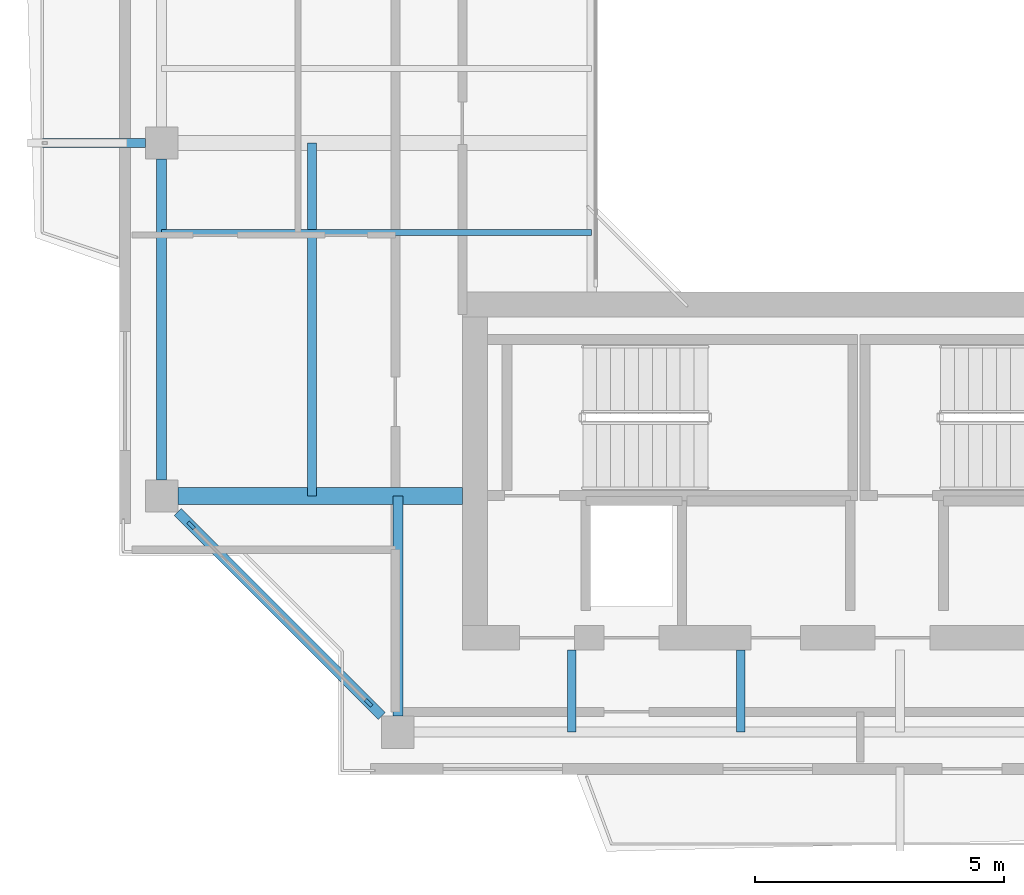
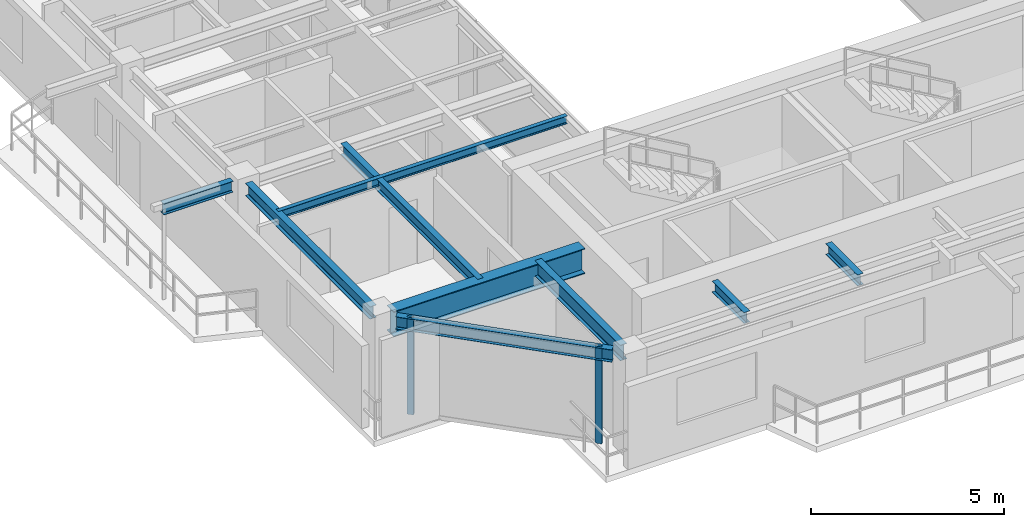
# One storey, part 2 of 14: 9 beams, 2 members, 1 element without a shape of its own.
"""IFC4 building model written with IfcOpenShell, lengths in metres."""

from ifc_helpers import new_model, si_unit, direction, frame, origin, origin_2d, place, context, subcontext, project, spatial, rectangle, i_section, extrude, source, transform, mapped, material, layer, layer_set, material_profile, profile_set, type_object, element, aggregate, save


model = new_model("IFC4")

# Units and contexts
model_context = context("Model", 3, precision=1e-05, world=origin(), true_north=direction((0.0, 1.0)))
body_context = subcontext(model_context, "Body", "Model", "MODEL_VIEW")
ifc_project = project(units=[si_unit("LENGTHUNIT", "METRE"), si_unit("AREAUNIT", "SQUARE_METRE"), si_unit("VOLUMEUNIT", "CUBIC_METRE"), si_unit("PLANEANGLEUNIT", "RADIAN"), si_unit("MASSUNIT", "GRAM", prefix="KILO"), si_unit("THERMODYNAMICTEMPERATUREUNIT", "KELVIN"), si_unit("POWERUNIT", "WATT")], contexts=[model_context])

# Site, building, storey
site_placement = place(None, origin())
site = spatial("IfcSite", under=ifc_project, at=site_placement, CompositionType="ELEMENT")
building_placement = place(site_placement, origin())
building = spatial("IfcBuilding", under=site, at=building_placement, Name="Qiaomeng Ring Towers", CompositionType="ELEMENT")
storey_placement = place(building_placement, frame((0.0, 0.0, 247.0)))
storey = spatial("IfcBuildingStorey", under=building, at=storey_placement, Name="L72", CompositionType="ELEMENT", Elevation=247.0)

# Beams
ifc_material_1 = material(Name="Steel Q355B", Category="steel")
ifc_material_profile_1 = material_profile(ifc_material_1, i_section(OverallWidth=0.198974609375, OverallDepth=0.39599609375, WebThickness=0.007080078125, FlangeThickness=0.010986328125, FilletRadius=0.01611328125, at=origin_2d()), Name="HN 396x199x7x11")
ifc_profile_set_1 = profile_set([ifc_material_profile_1], Name="Steel Q355B")
beam_type_1 = type_object("IfcBeamType", Name="STR-BM-HN396", PredefinedType="SPANDREL", material=ifc_profile_set_1)
shared_shape_1 = source(origin(), body_context, "Body", "SweptSolid", [
    extrude(i_section(OverallWidth=0.198974609375, OverallDepth=0.39599609375, WebThickness=0.007080078125, FlangeThickness=0.010986328125, FilletRadius=0.01611328125, at=origin_2d()), origin(), (0.0, 0.0, 1.0), 5.800048828125),
])
beam_1_placement = place(storey_placement, frame((4.474365234375, 12.57568359375, 2.8720703125), z_axis=(0.707106781187, -0.707106781187, 0.0), x_axis=(0.707106781187, 0.707106781187, 0.0)))
element("IfcBeam", 1, at=beam_1_placement, inside=storey, type_object=beam_type_1, Name="L72 beam STR-SP-L72-T1-W1-S1", PredefinedType="SPANDREL", context=body_context, shape_type="MappedRepresentation", body=[
    mapped(shared_shape_1, transform((0.0, 0.0, 0.0), x_axis=(1.0, 0.0, 0.0), y_axis=(0.0, 1.0, 0.0), z_axis=(0.0, 0.0, 1.0), scale=1.0)),
])
shared_shape_2 = source(origin(), body_context, "Body", "SweptSolid", [
    extrude(i_section(OverallWidth=0.198974609375, OverallDepth=0.39599609375, WebThickness=0.007080078125, FlangeThickness=0.010986328125, FilletRadius=0.01611328125, at=origin_2d()), origin(), (0.0, 0.0, 1.0), 6.451904296875),
])
beam_2_placement = place(storey_placement, frame((4.14990234375, 19.676025390625, 2.8720703125), z_axis=(0.0, -1.0, 0.0), x_axis=(1.0, 0.0, 0.0)))
element("IfcBeam", 2, at=beam_2_placement, inside=storey, type_object=beam_type_1, Name="L72 beam STR-SP-L72-T1-W2-W1", PredefinedType="SPANDREL", context=body_context, shape_type="MappedRepresentation", body=[
    mapped(shared_shape_2, transform((0.0, 0.0, 0.0), x_axis=(1.0, 0.0, 0.0), y_axis=(0.0, 1.0, 0.0), z_axis=(0.0, 0.0, 1.0), scale=1.0)),
])
ifc_material_2 = material(Name="Steel Q390GJC", Category="steel")
ifc_material_profile_2 = material_profile(ifc_material_2, i_section(OverallWidth=0.35009765625, OverallDepth=0.800048828125, WebThickness=0.01611328125, FlangeThickness=0.028076171875, at=origin_2d()), Name="WH 800x350x16x28")
ifc_profile_set_2 = profile_set([ifc_material_profile_2], Name="Steel Q390GJC")
beam_type_2 = type_object("IfcBeamType", Name="STR-BM-WH800", PredefinedType="BEAM", material=ifc_profile_set_2)
shared_shape_3 = source(origin(), body_context, "Body", "SweptSolid", [
    extrude(i_section(OverallWidth=0.35009765625, OverallDepth=0.800048828125, WebThickness=0.01611328125, FlangeThickness=0.028076171875, at=origin_2d()), origin(), (0.0, 0.0, 1.0), 5.725830078125),
])
beam_3_placement = place(storey_placement, frame((4.47412109375, 12.89990234375, 2.669921875), z_axis=(1.0, 0.0, 0.0), x_axis=(0.0, 1.0, 0.0)))
element("IfcBeam", 3, at=beam_3_placement, inside=storey, type_object=beam_type_2, Name="L72 beam STR-BM-L72-T1-RAD-W1", PredefinedType="BEAM", context=body_context, shape_type="MappedRepresentation", body=[
    mapped(shared_shape_3, transform((0.0, 0.0, 0.0), x_axis=(1.0, 0.0, 0.0), y_axis=(0.0, 1.0, 0.0), z_axis=(0.0, 0.0, 1.0), scale=1.0)),
])
ifc_material_profile_3 = material_profile(ifc_material_1, i_section(OverallWidth=0.198974609375, OverallDepth=0.49609375, WebThickness=0.009033203125, FlangeThickness=0.013916015625, FilletRadius=0.01806640625, at=origin_2d()), Name="HN 496x199x9x14")
ifc_profile_set_3 = profile_set([ifc_material_profile_3], Name="Steel Q355B")
beam_type_3 = type_object("IfcBeamType", Name="STR-BM-HN496", PredefinedType="BEAM", material=ifc_profile_set_3)
shared_shape_4 = source(origin(), body_context, "Body", "SweptSolid", [
    extrude(i_section(OverallWidth=0.198974609375, OverallDepth=0.49609375, WebThickness=0.009033203125, FlangeThickness=0.013916015625, FilletRadius=0.01806640625, at=origin_2d()), origin(), (0.0, 0.0, 1.0), 4.42578125),
])
beam_4_placement = place(storey_placement, frame((8.89990234375, 8.47412109375, 2.822021484375), z_axis=(0.0, 1.0, 0.0), x_axis=(-1.0, 0.0, 0.0)))
element("IfcBeam", 4, at=beam_4_placement, inside=storey, type_object=beam_type_3, Name="L72 beam STR-BM-L72-T1-RAD-S1", PredefinedType="BEAM", context=body_context, shape_type="MappedRepresentation", body=[
    mapped(shared_shape_4, transform((0.0, 0.0, 0.0), x_axis=(1.0, 0.0, 0.0), y_axis=(0.0, 1.0, 0.0), z_axis=(0.0, 0.0, 1.0), scale=1.0)),
])
ifc_material_profile_4 = material_profile(ifc_material_1, i_section(OverallWidth=0.175048828125, OverallDepth=0.35009765625, WebThickness=0.007080078125, FlangeThickness=0.010986328125, FilletRadius=0.013916015625, at=origin_2d()), Name="HN 350x175x7x11")
ifc_profile_set_4 = profile_set([ifc_material_profile_4], Name="Steel Q355B")
beam_type_4 = type_object("IfcBeamType", Name="STR-BM-HN350", PredefinedType="JOIST", material=ifc_profile_set_4)
shared_shape_5 = source(origin(), body_context, "Body", "SweptSolid", [
    extrude(i_section(OverallWidth=0.175048828125, OverallDepth=0.35009765625, WebThickness=0.007080078125, FlangeThickness=0.010986328125, FilletRadius=0.013916015625, at=origin_2d()), origin(), (0.0, 0.0, 1.0), 2.075927734375),
])
beam_5_placement = place(storey_placement, frame((1.75, 20.0, 2.89501953125), z_axis=(1.0, 0.0, 0.0), x_axis=(0.0, 1.0, 0.0)))
element("IfcBeam", 5, at=beam_5_placement, inside=storey, type_object=beam_type_4, Name="L72 beam STR-BALBM-L72-W2", PredefinedType="JOIST", context=body_context, shape_type="MappedRepresentation", body=[
    mapped(shared_shape_5, transform((0.0, 0.0, 0.0), x_axis=(1.0, 0.0, 0.0), y_axis=(0.0, 1.0, 0.0), z_axis=(0.0, 0.0, 1.0), scale=1.0)),
])
shared_shape_6 = source(origin(), body_context, "Body", "SweptSolid", [
    extrude(i_section(OverallWidth=0.175048828125, OverallDepth=0.35009765625, WebThickness=0.007080078125, FlangeThickness=0.010986328125, FilletRadius=0.013916015625, at=origin_2d()), origin(), (0.0, 0.0, 1.0), 1.650146484375),
])
for number, where, z_axis, x_axis, name in (
    (6, (12.39990234375, 8.14990234375, 2.89501953125), (0.0, 1.0, 0.0), (-1.0, 0.0, 0.0), "L72 beam STR-JST-L72-T1S-1"),
    (7, (15.800048828125, 8.14990234375, 2.89501953125), (0.0, 1.0, 0.0), (-1.0, 0.0, 0.0), "L72 beam STR-JST-L72-T1S-2"),
):
    element("IfcBeam", number, at=place(storey_placement, frame(where, z_axis=z_axis, x_axis=x_axis)), inside=storey, type_object=beam_type_4, Name=name, PredefinedType="JOIST", context=body_context, shape_type="MappedRepresentation", body=[
        mapped(shared_shape_6, transform((0.0, 0.0, 0.0), x_axis=(1.0, 0.0, 0.0), y_axis=(0.0, 1.0, 0.0), z_axis=(0.0, 0.0, 1.0), scale=1.0)),
    ])
ifc_material_profile_5 = material_profile(ifc_material_1, i_section(OverallWidth=0.125, OverallDepth=0.25, WebThickness=0.006103515625, FlangeThickness=0.009033203125, FilletRadius=0.011962890625, at=origin_2d()), Name="HN 250x125x6x9")
ifc_profile_set_5 = profile_set([ifc_material_profile_5], Name="Steel Q355B")
beam_type_5 = type_object("IfcBeamType", Name="STR-BM-HN250", PredefinedType="JOIST", material=ifc_profile_set_5)
shared_shape_7 = source(origin(), body_context, "Body", "SweptSolid", [
    extrude(i_section(OverallWidth=0.125, OverallDepth=0.25, WebThickness=0.006103515625, FlangeThickness=0.009033203125, FilletRadius=0.011962890625, at=origin_2d()), origin(), (0.0, 0.0, 1.0), 8.650146484375),
])
beam_6_placement = place(storey_placement, frame((4.14990234375, 18.199951171875, 2.945068359375), z_axis=(1.0, 0.0, 0.0), x_axis=(0.0, 1.0, 0.0)))
element("IfcBeam", 8, at=beam_6_placement, inside=storey, type_object=beam_type_5, Name="L72 beam STR-JST-L72-T1W-1", PredefinedType="JOIST", context=body_context, shape_type="MappedRepresentation", body=[
    mapped(shared_shape_7, transform((0.0, 0.0, 0.0), x_axis=(1.0, 0.0, 0.0), y_axis=(0.0, 1.0, 0.0), z_axis=(0.0, 0.0, 1.0), scale=1.0)),
])
shared_shape_8 = source(origin(), body_context, "Body", "SweptSolid", [
    extrude(i_section(OverallWidth=0.175048828125, OverallDepth=0.35009765625, WebThickness=0.007080078125, FlangeThickness=0.010986328125, FilletRadius=0.013916015625, at=origin_2d()), origin(), (0.0, 0.0, 1.0), 7.10009765625),
])
beam_7_placement = place(storey_placement, frame((7.175048828125, 12.89990234375, 2.89501953125), z_axis=(0.0, 1.0, 0.0), x_axis=(-1.0, 0.0, 0.0)))
element("IfcBeam", 9, at=beam_7_placement, inside=storey, type_object=beam_type_4, Name="L72 beam STR-JST-L72-T1C-WS", PredefinedType="JOIST", context=body_context, shape_type="MappedRepresentation", body=[
    mapped(shared_shape_8, transform((0.0, 0.0, 0.0), x_axis=(1.0, 0.0, 0.0), y_axis=(0.0, 1.0, 0.0), z_axis=(0.0, 0.0, 1.0), scale=1.0)),
])

# Curtain wall, members
ifc_material_3 = material(Name="Fluorocarbon dark-grey aluminium", Category="aluminium")
ifc_layer = layer(ifc_material_3, 0.14990234375, Name="Fluorocarbon dark-grey aluminium")
ifc_layer_set = layer_set([ifc_layer], Name="Fluorocarbon dark-grey aluminium")
curtain_wall_type = type_object("IfcCurtainWallType", Name="ARC-CW-3", PredefinedType="NOTDEFINED", material=ifc_layer_set)
curtain_wall_placement = place(storey_placement, origin())
curtain_wall = element("IfcCurtainWall", 10, at=curtain_wall_placement, inside=storey, type_object=curtain_wall_type, Name="L72 Curtain Wall CW3", PredefinedType="NOTDEFINED")
ifc_material_profile_6 = material_profile(ifc_material_3, rectangle(XDim=0.070068359375, YDim=0.179931640625, at=origin_2d()), Name="ALU MULL 70x180")
ifc_profile_set_6 = profile_set([ifc_material_profile_6], Name="Fluorocarbon dark-grey aluminium")
member_type = type_object("IfcMemberType", Name="ARC-CWM-160", PredefinedType="MULLION", material=ifc_profile_set_6)
shared_shape_9 = source(origin(), body_context, "Body", "SweptSolid", [
    extrude(rectangle(XDim=0.070068359375, YDim=0.179931640625, at=origin_2d()), origin(), (0.0, 0.0, 1.0), 3.070068359375),
])
member_1_placement = place(storey_placement, frame((4.73974609375, 12.310302734375, 0.0), z_axis=(0.0, 0.0, 1.0), x_axis=(0.707106781187, 0.707106781187, 0.0)))
member_1 = element("IfcMember", 11, at=member_1_placement, type_object=member_type, Name="CW3 mullion 1", PredefinedType="MULLION", context=body_context, shape_type="MappedRepresentation", body=[
    mapped(shared_shape_9, transform((0.0, 0.0, 0.0), x_axis=(1.0, 0.0, 0.0), y_axis=(0.0, 1.0, 0.0), z_axis=(0.0, 0.0, 1.0), scale=1.0)),
])
member_2_placement = place(storey_placement, frame((8.310302734375, 8.73974609375, 0.0), z_axis=(0.0, 0.0, 1.0), x_axis=(0.707106781187, 0.707106781187, 0.0)))
member_2 = element("IfcMember", 12, at=member_2_placement, type_object=member_type, Name="CW3 mullion 2", PredefinedType="MULLION", context=body_context, shape_type="MappedRepresentation", body=[
    mapped(shared_shape_9, transform((0.0, 0.0, 0.0), x_axis=(1.0, 0.0, 0.0), y_axis=(0.0, 1.0, 0.0), z_axis=(0.0, 0.0, 1.0), scale=1.0)),
])
aggregate(curtain_wall, [member_1, member_2])

save(model, "model.ifc")
